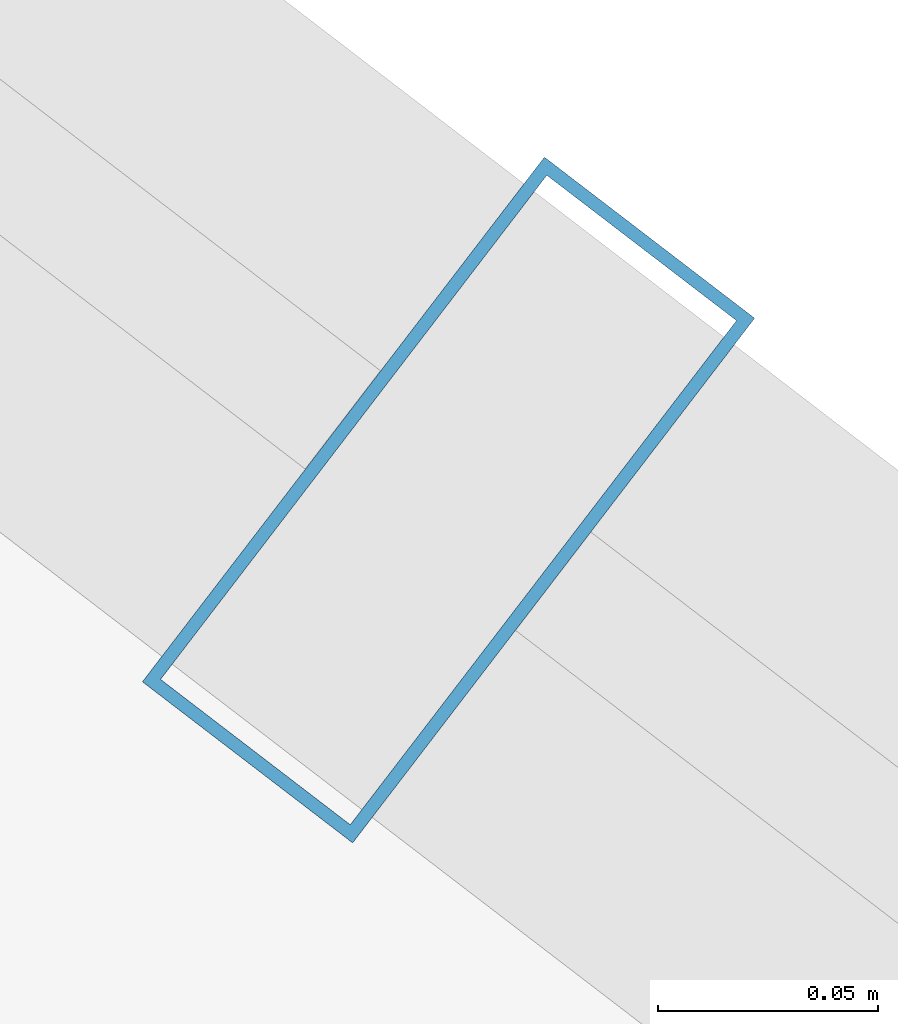
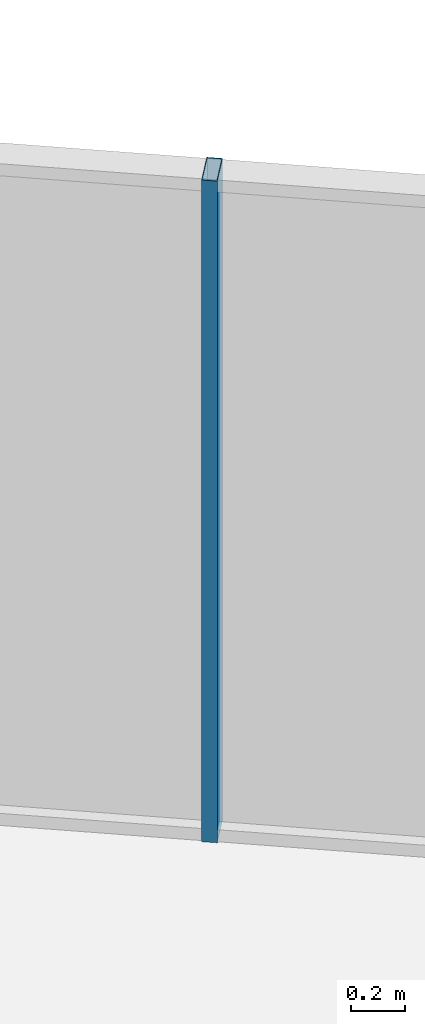
# One storey, part 17 of 31: 1 member, 1 element without a shape of its own.
"""IFC4 building model written with IfcOpenShell, lengths in metres."""

from ifc_helpers import new_model, si_unit, direction, frame, origin, origin_2d, place, context, subcontext, project, spatial, hollow_rectangle, extrude, source, transform, mapped, material, layer, layer_set, material_profile, profile_set, type_object, element, aggregate, save


model = new_model("IFC4")

# Units and contexts
model_context = context("Model", 3, precision=1e-05, world=origin(), true_north=direction((0.0, 1.0)))
body_context = subcontext(model_context, "Body", "Model", "MODEL_VIEW")
ifc_project = project(units=[si_unit("LENGTHUNIT", "METRE"), si_unit("AREAUNIT", "SQUARE_METRE"), si_unit("VOLUMEUNIT", "CUBIC_METRE"), si_unit("PLANEANGLEUNIT", "RADIAN"), si_unit("MASSUNIT", "GRAM", prefix="KILO")], contexts=[model_context])

# Site, building, storey
site_placement = place(None, origin())
site = spatial("IfcSite", under=ifc_project, at=site_placement, CompositionType="ELEMENT")
building_placement = place(site_placement, origin())
building = spatial("IfcBuilding", under=site, at=building_placement, Name="Veraguas Prism Commons", CompositionType="ELEMENT")
storey_placement = place(building_placement, frame((0.0, 0.0, 233.300048828125)))
storey = spatial("IfcBuildingStorey", under=building, at=storey_placement, Name="L66", CompositionType="ELEMENT", Elevation=233.300048828125)

# Curtain wall, member
ifc_material = material(Name="Anodised aluminium EN AW-6063 T6", Category="aluminium")
ifc_layer = layer(ifc_material, 0.14990234375, Name="Unitised Flush Curtain Wall Zone 4", Category="aluminium")
ifc_layer_set = layer_set([ifc_layer], Name="Anodised aluminium EN AW-6063 T6")
curtain_wall_type = type_object("IfcCurtainWallType", Name="Unitised Flush Curtain Wall Zone 4", PredefinedType="NOTDEFINED", material=ifc_layer_set)
curtain_wall_placement = place(storey_placement, origin())
curtain_wall = element("IfcCurtainWall", 1, at=curtain_wall_placement, inside=storey, type_object=curtain_wall_type, Name="Tower Facade Curtain Wall L66-F1", PredefinedType="NOTDEFINED")
ifc_material_profile = material_profile(ifc_material, hollow_rectangle(XDim=0.06005859375, YDim=0.14990234375, WallThickness=0.0029296875, at=origin_2d()), Name="AL60X150X3")
ifc_profile_set = profile_set([ifc_material_profile], Name="Anodised aluminium EN AW-6063 T6")
member_type = type_object("IfcMemberType", Name="Curtain Wall Mullion Upper AL 60x150x3", PredefinedType="MULLION", material=ifc_profile_set)
shared_shape = source(origin(), body_context, "Body", "SweptSolid", [
    extrude(hollow_rectangle(XDim=0.06005859375, YDim=0.14990234375, WallThickness=0.0029296875, at=origin_2d()), origin(), (0.0, 0.0, 1.0), 3.014892578125),
])
member_placement = place(storey_placement, frame((34.0078125, 37.061279296875, 0.0), z_axis=(0.0, 0.0, 1.0), x_axis=(-0.793780265613, 0.608204644773, 0.0)))
member = element("IfcMember", 2, at=member_placement, type_object=member_type, Name="CW-Z4 Mullion 3", PredefinedType="MULLION", context=body_context, shape_type="MappedRepresentation", body=[
    mapped(shared_shape, transform((0.0, 0.0, 0.0), scale=1.0)),
])
aggregate(curtain_wall, [member])

save(model, "model.ifc")
